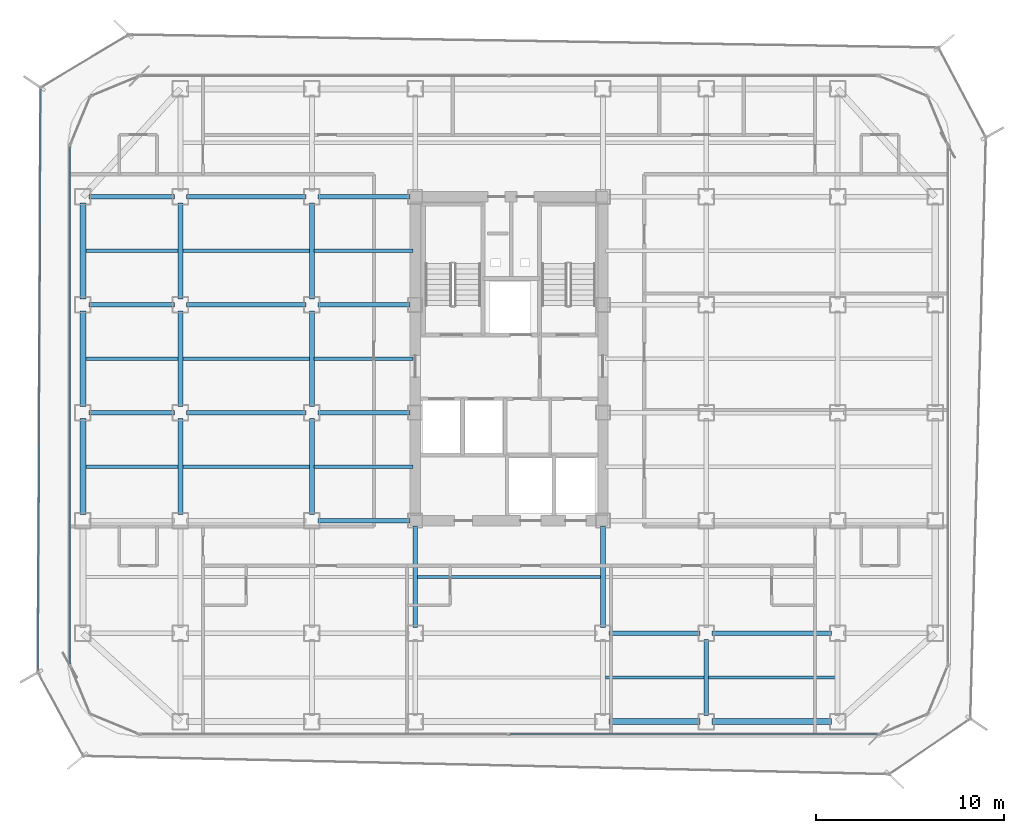
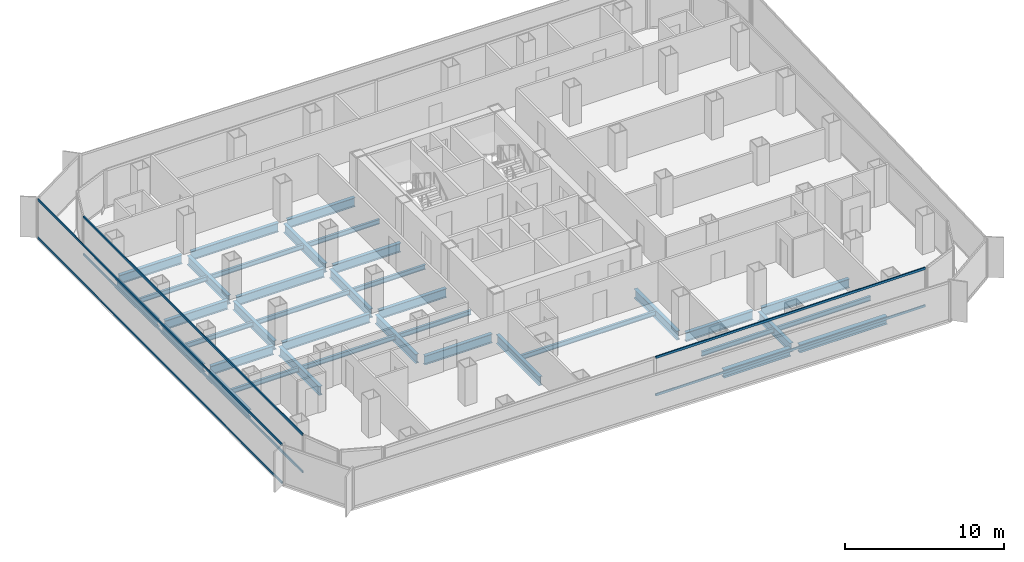
# One storey, part 5 of 21: 38 beams, 6 members, 3 elements without a shape of their own.
"""IFC4 building model written with IfcOpenShell, lengths in metres."""

from ifc_helpers import new_model, si_unit, direction, frame, origin, origin_2d, place, context, subcontext, project, spatial, hollow_rectangle, i_section, extrude, source, transform, mapped, material, layer, layer_set, material_profile, profile_set, type_object, element, aggregate, save


model = new_model("IFC4")

# Units and contexts
model_context = context("Model", 3, precision=1e-05, world=origin(), true_north=direction((0.0, 1.0)))
body_context = subcontext(model_context, "Body", "Model", "MODEL_VIEW")
ifc_project = project(units=[si_unit("LENGTHUNIT", "METRE"), si_unit("AREAUNIT", "SQUARE_METRE"), si_unit("VOLUMEUNIT", "CUBIC_METRE"), si_unit("PLANEANGLEUNIT", "RADIAN"), si_unit("MASSUNIT", "GRAM", prefix="KILO")], contexts=[model_context])

# Site, building, storey
site_placement = place(None, origin())
site = spatial("IfcSite", under=ifc_project, at=site_placement, CompositionType="ELEMENT")
building_placement = place(site_placement, origin())
building = spatial("IfcBuilding", under=site, at=building_placement, Name="Kolveth Station Tower", CompositionType="ELEMENT")
storey_placement = place(building_placement, frame((0.0, 0.0, 118.300048828125)))
storey = spatial("IfcBuildingStorey", under=building, at=storey_placement, Name="L32", CompositionType="ELEMENT", Elevation=118.300048828125)

# Beams
ifc_material_1 = material(Name="Steel S355", Category="steel")
ifc_material_profile_1 = material_profile(ifc_material_1, i_section(OverallWidth=0.323974609375, OverallDepth=0.611083984375, WebThickness=0.0126953125, FlangeThickness=0.01904296875, at=origin_2d()), Name="W610x155")
ifc_profile_set_1 = profile_set([ifc_material_profile_1], Name="Steel S355")
beam_type_1 = type_object("IfcBeamType", Name="Beam_SP2", PredefinedType="SPANDREL", material=ifc_profile_set_1)
shared_shape_1 = source(origin(), body_context, "Body", "SweptSolid", [
    extrude(i_section(OverallWidth=0.323974609375, OverallDepth=0.611083984375, WebThickness=0.0126953125, FlangeThickness=0.01904296875, at=origin_2d()), origin(), (0.0, 0.0, 1.0), 6.35986328125),
])
beam_1_placement = place(storey_placement, frame((34.320068359375, 0.800048828125, -0.5556640625), z_axis=(1.0, 0.0, 0.0), x_axis=(0.0, 1.0, 0.0)))
element("IfcBeam", 1, at=beam_1_placement, inside=storey, type_object=beam_type_1, Name="L32 Perimeter Spandrel BM-L32-PS-5", PredefinedType="SPANDREL", context=body_context, shape_type="MappedRepresentation", body=[
    mapped(shared_shape_1, transform((0.0, 0.0, 0.0), x_axis=(1.0, 0.0, 0.0), y_axis=(0.0, 1.0, 0.0), z_axis=(0.0, 0.0, 1.0), scale=1.0)),
])
shared_shape_2 = source(origin(), body_context, "Body", "SweptSolid", [
    extrude(i_section(OverallWidth=0.323974609375, OverallDepth=0.611083984375, WebThickness=0.0126953125, FlangeThickness=0.01904296875, at=origin_2d()), origin(), (0.0, 0.0, 1.0), 4.85986328125),
])
beam_2_placement = place(storey_placement, frame((28.820068359375, 0.800048828125, -0.5556640625), z_axis=(1.0, 0.0, 0.0), x_axis=(0.0, 1.0, 0.0)))
element("IfcBeam", 2, at=beam_2_placement, inside=storey, type_object=beam_type_1, Name="L32 Perimeter Spandrel BM-L32-PS-4", PredefinedType="SPANDREL", context=body_context, shape_type="MappedRepresentation", body=[
    mapped(shared_shape_2, transform((0.0, 0.0, 0.0), x_axis=(1.0, 0.0, 0.0), y_axis=(0.0, 1.0, 0.0), z_axis=(0.0, 0.0, 1.0), scale=1.0)),
])
shared_shape_3 = source(origin(), body_context, "Body", "SweptSolid", [
    extrude(i_section(OverallWidth=0.323974609375, OverallDepth=0.611083984375, WebThickness=0.0126953125, FlangeThickness=0.01904296875, at=origin_2d()), origin(), (0.0, 0.0, 1.0), 5.10986328125),
])
for number, where, z_axis, x_axis, name in (
    (3, (0.800048828125, 11.820068359375, -0.5556640625), (0.0, 1.0, 0.0), (-1.0, 0.0, 0.0), "L32 Perimeter Spandrel BM-L32-PW-2"),
    (4, (0.800048828125, 17.570068359375, -0.5556640625), (0.0, 1.0, 0.0), (-1.0, 0.0, 0.0), "L32 Perimeter Spandrel BM-L32-PW-3"),
    (5, (0.800048828125, 23.320068359375, -0.5556640625), (0.0, 1.0, 0.0), (-1.0, 0.0, 0.0), "L32 Perimeter Spandrel BM-L32-PW-4"),
):
    element("IfcBeam", number, at=place(storey_placement, frame(where, z_axis=z_axis, x_axis=x_axis)), inside=storey, type_object=beam_type_1, Name=name, PredefinedType="SPANDREL", context=body_context, shape_type="MappedRepresentation", body=[
        mapped(shared_shape_3, transform((0.0, 0.0, 0.0), x_axis=(1.0, 0.0, 0.0), y_axis=(0.0, 1.0, 0.0), z_axis=(0.0, 0.0, 1.0), scale=1.0)),
    ])
ifc_material_profile_2 = material_profile(ifc_material_1, i_section(OverallWidth=0.25390625, OverallDepth=0.68798828125, WebThickness=0.01318359375, FlangeThickness=0.02099609375, at=origin_2d()), Name="W690x152")
ifc_profile_set_2 = profile_set([ifc_material_profile_2], Name="Steel S355")
beam_type_2 = type_object("IfcBeamType", Name="Beam_B4", PredefinedType="BEAM", material=ifc_profile_set_2)
shared_shape_4 = source(origin(), body_context, "Body", "SweptSolid", [
    extrude(i_section(OverallWidth=0.25390625, OverallDepth=0.68798828125, WebThickness=0.01318359375, FlangeThickness=0.02099609375, at=origin_2d()), origin(), (0.0, 0.0, 1.0), 4.559814453125),
])
for number, where, z_axis, x_axis, name in (
    (6, (1.1201171875, 17.25, -0.593994140625), (1.0, 0.0, 0.0), (0.0, 1.0, 0.0), "L32 Primary Girder BM-L32-GY172-1"),
    (7, (1.1201171875, 23.0, -0.593994140625), (1.0, 0.0, 0.0), (0.0, 1.0, 0.0), "L32 Primary Girder BM-L32-GY230-1"),
    (8, (1.1201171875, 28.75, -0.593994140625), (1.0, 0.0, 0.0), (0.0, 1.0, 0.0), "L32 Primary Girder BM-L32-GY287-1"),
):
    element("IfcBeam", number, at=place(storey_placement, frame(where, z_axis=z_axis, x_axis=x_axis)), inside=storey, type_object=beam_type_2, Name=name, PredefinedType="BEAM", context=body_context, shape_type="MappedRepresentation", body=[
        mapped(shared_shape_4, transform((0.0, 0.0, 0.0), x_axis=(1.0, 0.0, 0.0), y_axis=(0.0, 1.0, 0.0), z_axis=(0.0, 0.0, 1.0), scale=1.0)),
    ])
shared_shape_5 = source(origin(), body_context, "Body", "SweptSolid", [
    extrude(i_section(OverallWidth=0.25390625, OverallDepth=0.68798828125, WebThickness=0.01318359375, FlangeThickness=0.02099609375, at=origin_2d()), origin(), (0.0, 0.0, 1.0), 6.35986328125),
])
for number, where, z_axis, x_axis, name in (
    (9, (34.320068359375, 5.5, -0.593994140625), (1.0, 0.0, 0.0), (0.0, 1.0, 0.0), "L32 Primary Girder BM-L32-GY55-6"),
    (10, (6.320068359375, 17.25, -0.593994140625), (1.0, 0.0, 0.0), (0.0, 1.0, 0.0), "L32 Primary Girder BM-L32-GY172-2"),
    (11, (6.320068359375, 23.0, -0.593994140625), (1.0, 0.0, 0.0), (0.0, 1.0, 0.0), "L32 Primary Girder BM-L32-GY230-2"),
    (12, (6.320068359375, 28.75, -0.593994140625), (1.0, 0.0, 0.0), (0.0, 1.0, 0.0), "L32 Primary Girder BM-L32-GY287-2"),
):
    element("IfcBeam", number, at=place(storey_placement, frame(where, z_axis=z_axis, x_axis=x_axis)), inside=storey, type_object=beam_type_2, Name=name, PredefinedType="BEAM", context=body_context, shape_type="MappedRepresentation", body=[
        mapped(shared_shape_5, transform((0.0, 0.0, 0.0), x_axis=(1.0, 0.0, 0.0), y_axis=(0.0, 1.0, 0.0), z_axis=(0.0, 0.0, 1.0), scale=1.0)),
    ])
shared_shape_6 = source(origin(), body_context, "Body", "SweptSolid", [
    extrude(i_section(OverallWidth=0.25390625, OverallDepth=0.68798828125, WebThickness=0.01318359375, FlangeThickness=0.02099609375, at=origin_2d()), origin(), (0.0, 0.0, 1.0), 4.85986328125),
])
beam_3_placement = place(storey_placement, frame((28.820068359375, 5.5, -0.593994140625), z_axis=(1.0, 0.0, 0.0), x_axis=(0.0, 1.0, 0.0)))
element("IfcBeam", 13, at=beam_3_placement, inside=storey, type_object=beam_type_2, Name="L32 Primary Girder BM-L32-GY55-5", PredefinedType="BEAM", context=body_context, shape_type="MappedRepresentation", body=[
    mapped(shared_shape_6, transform((0.0, 0.0, 0.0), x_axis=(1.0, 0.0, 0.0), y_axis=(0.0, 1.0, 0.0), z_axis=(0.0, 0.0, 1.0), scale=1.0)),
])
shared_shape_7 = source(origin(), body_context, "Body", "SweptSolid", [
    extrude(i_section(OverallWidth=0.25390625, OverallDepth=0.68798828125, WebThickness=0.01318359375, FlangeThickness=0.02099609375, at=origin_2d()), origin(), (0.0, 0.0, 1.0), 4.89990234375),
])
for number, where, z_axis, x_axis, name in (
    (14, (13.320068359375, 11.5, -0.593994140625), (1.0, 0.0, 0.0), (0.0, 1.0, 0.0), "L32 Primary Girder BM-L32-GY115-3"),
    (15, (13.320068359375, 17.25, -0.593994140625), (1.0, 0.0, 0.0), (0.0, 1.0, 0.0), "L32 Primary Girder BM-L32-GY172-3"),
    (16, (13.320068359375, 23.0, -0.593994140625), (1.0, 0.0, 0.0), (0.0, 1.0, 0.0), "L32 Primary Girder BM-L32-GY230-3"),
    (17, (13.320068359375, 28.75, -0.593994140625), (1.0, 0.0, 0.0), (0.0, 1.0, 0.0), "L32 Primary Girder BM-L32-GY287-3"),
):
    element("IfcBeam", number, at=place(storey_placement, frame(where, z_axis=z_axis, x_axis=x_axis)), inside=storey, type_object=beam_type_2, Name=name, PredefinedType="BEAM", context=body_context, shape_type="MappedRepresentation", body=[
        mapped(shared_shape_7, transform((0.0, 0.0, 0.0), x_axis=(1.0, 0.0, 0.0), y_axis=(0.0, 1.0, 0.0), z_axis=(0.0, 0.0, 1.0), scale=1.0)),
    ])
shared_shape_8 = source(origin(), body_context, "Body", "SweptSolid", [
    extrude(i_section(OverallWidth=0.25390625, OverallDepth=0.68798828125, WebThickness=0.01318359375, FlangeThickness=0.02099609375, at=origin_2d()), origin(), (0.0, 0.0, 1.0), 4.059814453125),
])
beam_4_placement = place(storey_placement, frame((34.0, 1.1201171875, -0.593994140625), z_axis=(0.0, 1.0, 0.0), x_axis=(-1.0, 0.0, 0.0)))
element("IfcBeam", 18, at=beam_4_placement, inside=storey, type_object=beam_type_2, Name="L32 Primary Girder BM-L32-GX340-1", PredefinedType="BEAM", context=body_context, shape_type="MappedRepresentation", body=[
    mapped(shared_shape_8, transform((0.0, 0.0, 0.0), x_axis=(1.0, 0.0, 0.0), y_axis=(0.0, 1.0, 0.0), z_axis=(0.0, 0.0, 1.0), scale=1.0)),
])
shared_shape_9 = source(origin(), body_context, "Body", "SweptSolid", [
    extrude(i_section(OverallWidth=0.25390625, OverallDepth=0.68798828125, WebThickness=0.01318359375, FlangeThickness=0.02099609375, at=origin_2d()), origin(), (0.0, 0.0, 1.0), 5.10986328125),
])
for number, where, z_axis, x_axis, name in (
    (19, (6.0, 11.820068359375, -0.593994140625), (0.0, 1.0, 0.0), (-1.0, 0.0, 0.0), "L32 Primary Girder BM-L32-GX60-3"),
    (20, (6.0, 17.570068359375, -0.593994140625), (0.0, 1.0, 0.0), (-1.0, 0.0, 0.0), "L32 Primary Girder BM-L32-GX60-4"),
    (21, (6.0, 23.320068359375, -0.593994140625), (0.0, 1.0, 0.0), (-1.0, 0.0, 0.0), "L32 Primary Girder BM-L32-GX60-5"),
    (22, (13.0, 11.820068359375, -0.593994140625), (0.0, 1.0, 0.0), (-1.0, 0.0, 0.0), "L32 Primary Girder BM-L32-GX130-3"),
    (23, (13.0, 17.570068359375, -0.593994140625), (0.0, 1.0, 0.0), (-1.0, 0.0, 0.0), "L32 Primary Girder BM-L32-GX130-4"),
    (24, (13.0, 23.320068359375, -0.593994140625), (0.0, 1.0, 0.0), (-1.0, 0.0, 0.0), "L32 Primary Girder BM-L32-GX130-5"),
):
    element("IfcBeam", number, at=place(storey_placement, frame(where, z_axis=z_axis, x_axis=x_axis)), inside=storey, type_object=beam_type_2, Name=name, PredefinedType="BEAM", context=body_context, shape_type="MappedRepresentation", body=[
        mapped(shared_shape_9, transform((0.0, 0.0, 0.0), x_axis=(1.0, 0.0, 0.0), y_axis=(0.0, 1.0, 0.0), z_axis=(0.0, 0.0, 1.0), scale=1.0)),
    ])
shared_shape_10 = source(origin(), body_context, "Body", "SweptSolid", [
    extrude(i_section(OverallWidth=0.25390625, OverallDepth=0.68798828125, WebThickness=0.01318359375, FlangeThickness=0.02099609375, at=origin_2d()), origin(), (0.0, 0.0, 1.0), 5.39990234375),
])
for number, where, z_axis, x_axis, name in (
    (25, (18.5, 5.820068359375, -0.593994140625), (0.0, 1.0, 0.0), (-1.0, 0.0, 0.0), "L32 Primary Girder BM-L32-GX185-2"),
    (26, (28.5, 5.820068359375, -0.593994140625), (0.0, 1.0, 0.0), (-1.0, 0.0, 0.0), "L32 Primary Girder BM-L32-GX285-2"),
):
    element("IfcBeam", number, at=place(storey_placement, frame(where, z_axis=z_axis, x_axis=x_axis)), inside=storey, type_object=beam_type_2, Name=name, PredefinedType="BEAM", context=body_context, shape_type="MappedRepresentation", body=[
        mapped(shared_shape_10, transform((0.0, 0.0, 0.0), x_axis=(1.0, 0.0, 0.0), y_axis=(0.0, 1.0, 0.0), z_axis=(0.0, 0.0, 1.0), scale=1.0)),
    ])
ifc_material_profile_3 = material_profile(ifc_material_1, i_section(OverallWidth=0.1708984375, OverallDepth=0.35205078125, WebThickness=0.0068359375, FlangeThickness=0.009765625, at=origin_2d()), Name="W360x44")
ifc_profile_set_3 = profile_set([ifc_material_profile_3], Name="Steel S355")
beam_type_3 = type_object("IfcBeamType", Name="Beam_J2", PredefinedType="JOIST", material=ifc_profile_set_3)
shared_shape_11 = source(origin(), body_context, "Body", "SweptSolid", [
    extrude(i_section(OverallWidth=0.1708984375, OverallDepth=0.35205078125, WebThickness=0.0068359375, FlangeThickness=0.009765625, at=origin_2d()), origin(), (0.0, 0.0, 1.0), 4.9150390625),
])
for number, where, z_axis, x_axis, name in (
    (27, (0.9599609375, 14.375, -0.426025390625), (1.0, 0.0, 0.0), (0.0, 1.0, 0.0), "L32 Secondary Joist JST-L32-1-3"),
    (28, (0.9599609375, 20.125, -0.426025390625), (1.0, 0.0, 0.0), (0.0, 1.0, 0.0), "L32 Secondary Joist JST-L32-1-4"),
    (29, (0.9599609375, 25.875, -0.426025390625), (1.0, 0.0, 0.0), (0.0, 1.0, 0.0), "L32 Secondary Joist JST-L32-1-5"),
):
    element("IfcBeam", number, at=place(storey_placement, frame(where, z_axis=z_axis, x_axis=x_axis)), inside=storey, type_object=beam_type_3, Name=name, PredefinedType="JOIST", context=body_context, shape_type="MappedRepresentation", body=[
        mapped(shared_shape_11, transform((0.0, 0.0, 0.0), x_axis=(1.0, 0.0, 0.0), y_axis=(0.0, 1.0, 0.0), z_axis=(0.0, 0.0, 1.0), scale=1.0)),
    ])
shared_shape_12 = source(origin(), body_context, "Body", "SweptSolid", [
    extrude(i_section(OverallWidth=0.1708984375, OverallDepth=0.35205078125, WebThickness=0.0068359375, FlangeThickness=0.009765625, at=origin_2d()), origin(), (0.0, 0.0, 1.0), 6.75),
])
for number, where, z_axis, x_axis, name in (
    (30, (6.125, 14.375, -0.426025390625), (1.0, 0.0, 0.0), (0.0, 1.0, 0.0), "L32 Secondary Joist JST-L32-2-3"),
    (31, (6.125, 20.125, -0.426025390625), (1.0, 0.0, 0.0), (0.0, 1.0, 0.0), "L32 Secondary Joist JST-L32-2-4"),
    (32, (6.125, 25.875, -0.426025390625), (1.0, 0.0, 0.0), (0.0, 1.0, 0.0), "L32 Secondary Joist JST-L32-2-5"),
    (33, (34.125, 3.14990234375, -0.426025390625), (1.0, 0.0, 0.0), (0.0, 1.0, 0.0), "L32 Secondary Joist JST-L32-6-1"),
):
    element("IfcBeam", number, at=place(storey_placement, frame(where, z_axis=z_axis, x_axis=x_axis)), inside=storey, type_object=beam_type_3, Name=name, PredefinedType="JOIST", context=body_context, shape_type="MappedRepresentation", body=[
        mapped(shared_shape_12, transform((0.0, 0.0, 0.0), x_axis=(1.0, 0.0, 0.0), y_axis=(0.0, 1.0, 0.0), z_axis=(0.0, 0.0, 1.0), scale=1.0)),
    ])
shared_shape_13 = source(origin(), body_context, "Body", "SweptSolid", [
    extrude(i_section(OverallWidth=0.1708984375, OverallDepth=0.35205078125, WebThickness=0.0068359375, FlangeThickness=0.009765625, at=origin_2d()), origin(), (0.0, 0.0, 1.0), 5.25),
])
for number, where, z_axis, x_axis, name in (
    (34, (13.125, 14.375, -0.426025390625), (1.0, 0.0, 0.0), (0.0, 1.0, 0.0), "L32 Secondary Joist JST-L32-3-3"),
    (35, (13.125, 20.125, -0.426025390625), (1.0, 0.0, 0.0), (0.0, 1.0, 0.0), "L32 Secondary Joist JST-L32-3-4"),
    (36, (13.125, 25.875, -0.426025390625), (1.0, 0.0, 0.0), (0.0, 1.0, 0.0), "L32 Secondary Joist JST-L32-3-5"),
    (37, (28.625, 3.14990234375, -0.426025390625), (1.0, 0.0, 0.0), (0.0, 1.0, 0.0), "L32 Secondary Joist JST-L32-5-1"),
):
    element("IfcBeam", number, at=place(storey_placement, frame(where, z_axis=z_axis, x_axis=x_axis)), inside=storey, type_object=beam_type_3, Name=name, PredefinedType="JOIST", context=body_context, shape_type="MappedRepresentation", body=[
        mapped(shared_shape_13, transform((0.0, 0.0, 0.0), x_axis=(1.0, 0.0, 0.0), y_axis=(0.0, 1.0, 0.0), z_axis=(0.0, 0.0, 1.0), scale=1.0)),
    ])
shared_shape_14 = source(origin(), body_context, "Body", "SweptSolid", [
    extrude(i_section(OverallWidth=0.1708984375, OverallDepth=0.35205078125, WebThickness=0.0068359375, FlangeThickness=0.009765625, at=origin_2d()), origin(), (0.0, 0.0, 1.0), 9.75),
])
beam_5_placement = place(storey_placement, frame((18.625, 8.5, -0.426025390625), z_axis=(1.0, 0.0, 0.0), x_axis=(0.0, 1.0, 0.0)))
element("IfcBeam", 38, at=beam_5_placement, inside=storey, type_object=beam_type_3, Name="L32 Secondary Joist JST-L32-4-2", PredefinedType="JOIST", context=body_context, shape_type="MappedRepresentation", body=[
    mapped(shared_shape_14, transform((0.0, 0.0, 0.0), x_axis=(1.0, 0.0, 0.0), y_axis=(0.0, 1.0, 0.0), z_axis=(0.0, 0.0, 1.0), scale=1.0)),
])

# Curtain wall, members
ifc_material_2 = material(Name="Aluminium 6063-T6 and low-E dark glass", Category="aluminium")
ifc_layer_1 = layer(ifc_material_2, 0.18994140625)
ifc_layer_set_1 = layer_set([ifc_layer_1], Name="Aluminium 6063-T6 and low-E dark glass")
curtain_wall_type_1 = type_object("IfcCurtainWallType", Name="CurtainWall_CW-Z2", PredefinedType="NOTDEFINED", material=ifc_layer_set_1)
curtain_wall_1_placement = place(storey_placement, origin())
curtain_wall_1 = element("IfcCurtainWall", 39, at=curtain_wall_1_placement, inside=storey, type_object=curtain_wall_type_1, Name="L32 Inner Thermal Curtain Wall 9", PredefinedType="NOTDEFINED")
ifc_material_3 = material(Name="Black anodized aluminium 6063-T6", Category="aluminium")
ifc_material_profile_4 = material_profile(ifc_material_3, hollow_rectangle(XDim=0.080078125, YDim=0.169921875, WallThickness=0.0048828125, at=origin_2d()), Name="ALU-80x170x5")
ifc_profile_set_4 = profile_set([ifc_material_profile_4], Name="Black anodized aluminium 6063-T6")
member_type_1 = type_object("IfcMemberType", Name="Transom_TR2", PredefinedType="USERDEFINED", material=ifc_profile_set_4)
shared_shape_15 = source(origin(), body_context, "Body", "SweptSolid", [
    extrude(hollow_rectangle(XDim=0.080078125, YDim=0.169921875, WallThickness=0.0048828125, at=origin_2d()), origin(), (0.0, 0.0, 1.0), 27.5400390625),
])
member_1_placement = place(storey_placement, frame((0.1201171875, 31.419921875, 0.0400390625), z_axis=(0.0, -1.0, 0.0), x_axis=(1.0, 0.0, 0.0)))
member_1 = element("IfcMember", 40, at=member_1_placement, type_object=member_type_1, Name="CW-Z2 transom 1.1", ObjectType="TRANSOM", PredefinedType="USERDEFINED", context=body_context, shape_type="MappedRepresentation", body=[
    mapped(shared_shape_15, transform((0.0, 0.0, 0.0), x_axis=(1.0, 0.0, 0.0), y_axis=(0.0, 1.0, 0.0), z_axis=(0.0, 0.0, 1.0), scale=1.0)),
])
member_2_placement = place(storey_placement, frame((0.1201171875, 31.419921875, 2.909912109375), z_axis=(0.0, -1.0, 0.0), x_axis=(1.0, 0.0, 0.0)))
member_2 = element("IfcMember", 41, at=member_2_placement, type_object=member_type_1, Name="CW-Z2 transom 1.2", ObjectType="TRANSOM", PredefinedType="USERDEFINED", context=body_context, shape_type="MappedRepresentation", body=[
    mapped(shared_shape_15, transform((0.0, 0.0, 0.0), x_axis=(1.0, 0.0, 0.0), y_axis=(0.0, 1.0, 0.0), z_axis=(0.0, 0.0, 1.0), scale=1.0)),
])
aggregate(curtain_wall_1, [member_1, member_2])

curtain_wall_2_placement = place(storey_placement, origin())
curtain_wall_2 = element("IfcCurtainWall", 42, at=curtain_wall_2_placement, inside=storey, type_object=curtain_wall_type_1, Name="L32 Inner Thermal Curtain Wall 12", PredefinedType="NOTDEFINED")
shared_shape_16 = source(origin(), body_context, "Body", "SweptSolid", [
    extrude(hollow_rectangle(XDim=0.080078125, YDim=0.169921875, WallThickness=0.0048828125, at=origin_2d()), origin(), (0.0, 0.0, 1.0), 19.580078125),
])
member_3_placement = place(storey_placement, frame((23.5400390625, 0.1201171875, 0.0400390625), z_axis=(1.0, 0.0, 0.0), x_axis=(0.0, 1.0, 0.0)))
member_3 = element("IfcMember", 43, at=member_3_placement, type_object=member_type_1, Name="CW-Z2 transom 2.1", ObjectType="TRANSOM", PredefinedType="USERDEFINED", context=body_context, shape_type="MappedRepresentation", body=[
    mapped(shared_shape_16, transform((0.0, 0.0, 0.0), x_axis=(1.0, 0.0, 0.0), y_axis=(0.0, 1.0, 0.0), z_axis=(0.0, 0.0, 1.0), scale=1.0)),
])
member_4_placement = place(storey_placement, frame((23.5400390625, 0.1201171875, 2.909912109375), z_axis=(1.0, 0.0, 0.0), x_axis=(0.0, 1.0, 0.0)))
member_4 = element("IfcMember", 44, at=member_4_placement, type_object=member_type_1, Name="CW-Z2 transom 2.2", ObjectType="TRANSOM", PredefinedType="USERDEFINED", context=body_context, shape_type="MappedRepresentation", body=[
    mapped(shared_shape_16, transform((0.0, 0.0, 0.0), x_axis=(1.0, 0.0, 0.0), y_axis=(0.0, 1.0, 0.0), z_axis=(0.0, 0.0, 1.0), scale=1.0)),
])
aggregate(curtain_wall_2, [member_3, member_4])

ifc_material_4 = material(Name="Black anodized aluminium 6063-T6 and dark solar glass", Category="aluminium")
ifc_layer_2 = layer(ifc_material_4, 0.159912109375)
ifc_layer_set_2 = layer_set([ifc_layer_2], Name="Black anodized aluminium 6063-T6 and dark solar glass")
curtain_wall_type_2 = type_object("IfcCurtainWallType", Name="OUTER SKIN CW-OS", PredefinedType="NOTDEFINED", material=ifc_layer_set_2)
curtain_wall_3_placement = place(storey_placement, origin())
curtain_wall_3 = element("IfcCurtainWall", 45, at=curtain_wall_3_placement, inside=storey, type_object=curtain_wall_type_2, Name="L32 Outer Ventilated Skin Curtain Wall 6", PredefinedType="NOTDEFINED")
ifc_material_profile_5 = material_profile(ifc_material_3, hollow_rectangle(XDim=0.080078125, YDim=0.14990234375, WallThickness=0.0048828125, at=origin_2d()), Name="ALU-80x150x5")
ifc_profile_set_5 = profile_set([ifc_material_profile_5], Name="Black anodized aluminium 6063-T6")
member_type_2 = type_object("IfcMemberType", Name="Transom_TR-OS", PredefinedType="USERDEFINED", material=ifc_profile_set_5)
shared_shape_17 = source(origin(), body_context, "Body", "SweptSolid", [
    extrude(hollow_rectangle(XDim=0.080078125, YDim=0.14990234375, WallThickness=0.0048828125, at=origin_2d()), origin(), (0.0, 0.0, 1.0), 30.968017578125),
])
member_5_placement = place(storey_placement, frame((-1.44921875, 34.47802734375, 0.0400390625), z_axis=(-0.004525197273, -0.999989761242, 0.0), x_axis=(0.999989761242, -0.004525197273, 0.0)))
member_5 = element("IfcMember", 46, at=member_5_placement, type_object=member_type_2, Name="CW-OS transom 1.1", ObjectType="TRANSOM", PredefinedType="USERDEFINED", context=body_context, shape_type="MappedRepresentation", body=[
    mapped(shared_shape_17, transform((0.0, 0.0, 0.0), x_axis=(1.0, 0.0, 0.0), y_axis=(0.0, 1.0, 0.0), z_axis=(0.0, 0.0, 1.0), scale=1.0)),
])
member_6_placement = place(storey_placement, frame((-1.44921875, 34.47802734375, 2.949951171875), z_axis=(-0.004525197273, -0.999989761242, 0.0), x_axis=(0.999989761242, -0.004525197273, 0.0)))
member_6 = element("IfcMember", 47, at=member_6_placement, type_object=member_type_2, Name="CW-OS transom 1.2", ObjectType="TRANSOM", PredefinedType="USERDEFINED", context=body_context, shape_type="MappedRepresentation", body=[
    mapped(shared_shape_17, transform((0.0, 0.0, 0.0), x_axis=(1.0, 0.0, 0.0), y_axis=(0.0, 1.0, 0.0), z_axis=(0.0, 0.0, 1.0), scale=1.0)),
])
aggregate(curtain_wall_3, [member_5, member_6])

save(model, "model.ifc")
